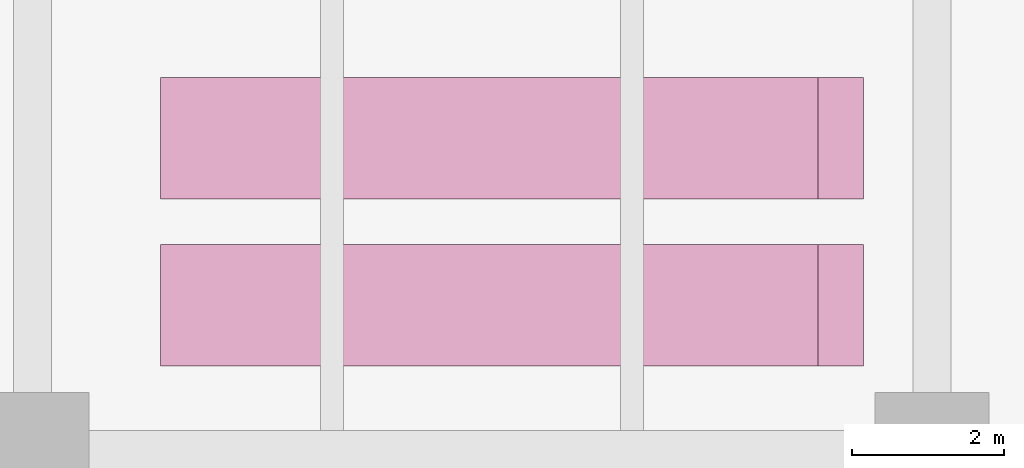
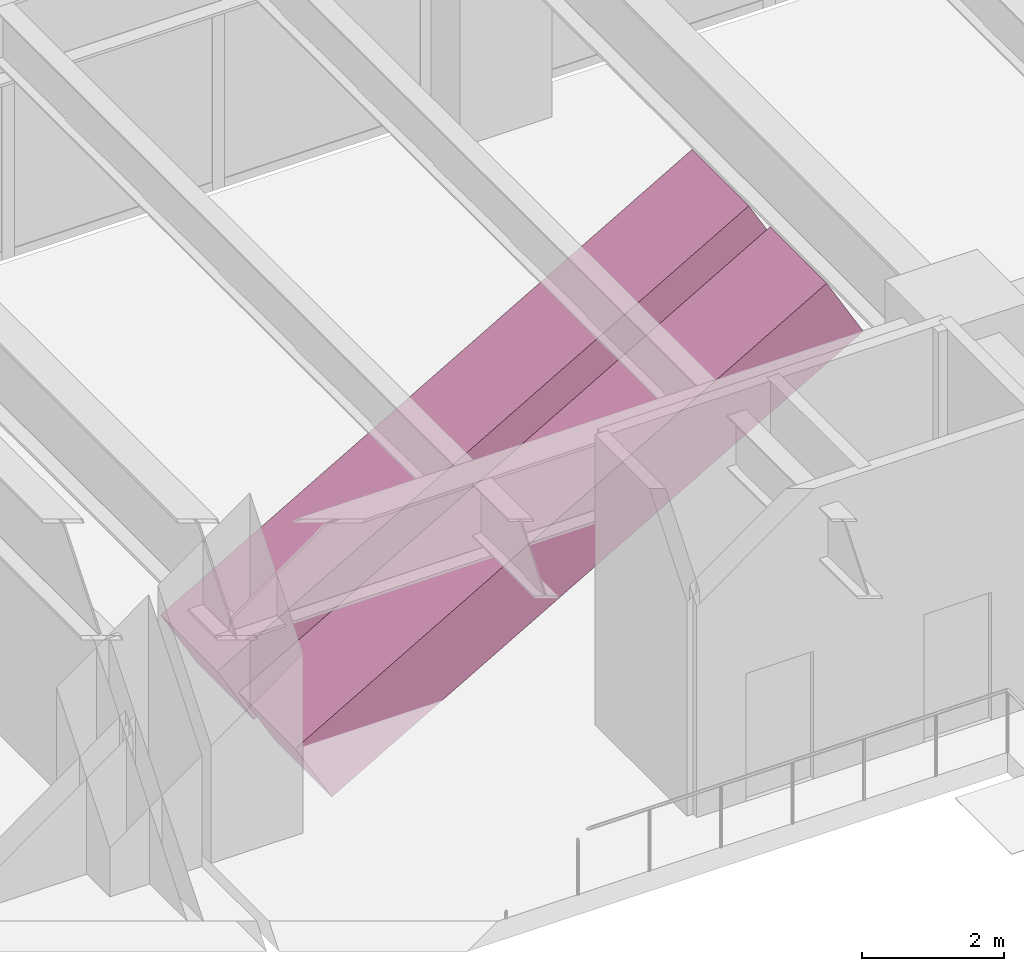
# One storey, part 32 of 32: 2 transport elements.
"""IFC4 building model written with IfcOpenShell, lengths in metres."""

from ifc_helpers import new_model, si_unit, direction, frame, origin, place, context, subcontext, project, spatial, polyline, outline, extrude, material, type_object, element, save


model = new_model("IFC4")

# Units and contexts
model_context = context("Model", 3, precision=1e-05, world=origin(), true_north=direction((0.0, 1.0)))
body_context = subcontext(model_context, "Body", "Model", "MODEL_VIEW")
ifc_project = project(units=[si_unit("LENGTHUNIT", "METRE"), si_unit("AREAUNIT", "SQUARE_METRE"), si_unit("VOLUMEUNIT", "CUBIC_METRE"), si_unit("PLANEANGLEUNIT", "RADIAN"), si_unit("MASSUNIT", "GRAM", prefix="KILO")], contexts=[model_context])

# Site, building, storey
site_placement = place(None, origin())
site = spatial("IfcSite", under=ifc_project, at=site_placement, CompositionType="ELEMENT")
building_placement = place(site_placement, origin())
building = spatial("IfcBuilding", under=site, at=building_placement, Name="Upepo Twin Towers", CompositionType="ELEMENT")
storey_placement = place(building_placement, frame((0.0, 0.0, 5.5)))
storey = spatial("IfcBuildingStorey", under=building, at=storey_placement, Name="L01", CompositionType="ELEMENT", Elevation=5.5)

# Transport elements
ifc_material = material(Name="Steel escalator truss", Category="steel")
transport_element_type = type_object("IfcTransportElementType", Name="Escalator 1000 step, 30 degrees", PredefinedType="ESCALATOR", material=ifc_material)
for number, where, z_axis, x_axis, name in (
    (1, (30.33984375, 28.10009765625, 0.0), (-0.499106209864, 0.0, 0.866540819163), (0.866540819163, 0.0, 0.499106209864), "Escalator L01 1.1"),
    (2, (30.33984375, 30.300048828125, 0.0), (-0.499106209864, 0.0, 0.866540819163), (0.866540819163, 0.0, 0.499106209864), "Escalator L01 1.2"),
):
    element("IfcTransportElement", number, at=place(storey_placement, frame(where, z_axis=z_axis, x_axis=x_axis)), inside=storey, type_object=transport_element_type, Name=name, PredefinedType="ESCALATOR", context=body_context, shape_type="SweptSolid", body=[
        extrude(outline(polyline([(0.0, 0.0), (9.993939187273265, 0.0), (9.993939187273265, 1.599853515625), (0.0, 1.599853515625), (0.0, 0.0)])), origin(), (0.0, 0.0, -1.0), 1.199951171875),
    ])

save(model, "model.ifc")
